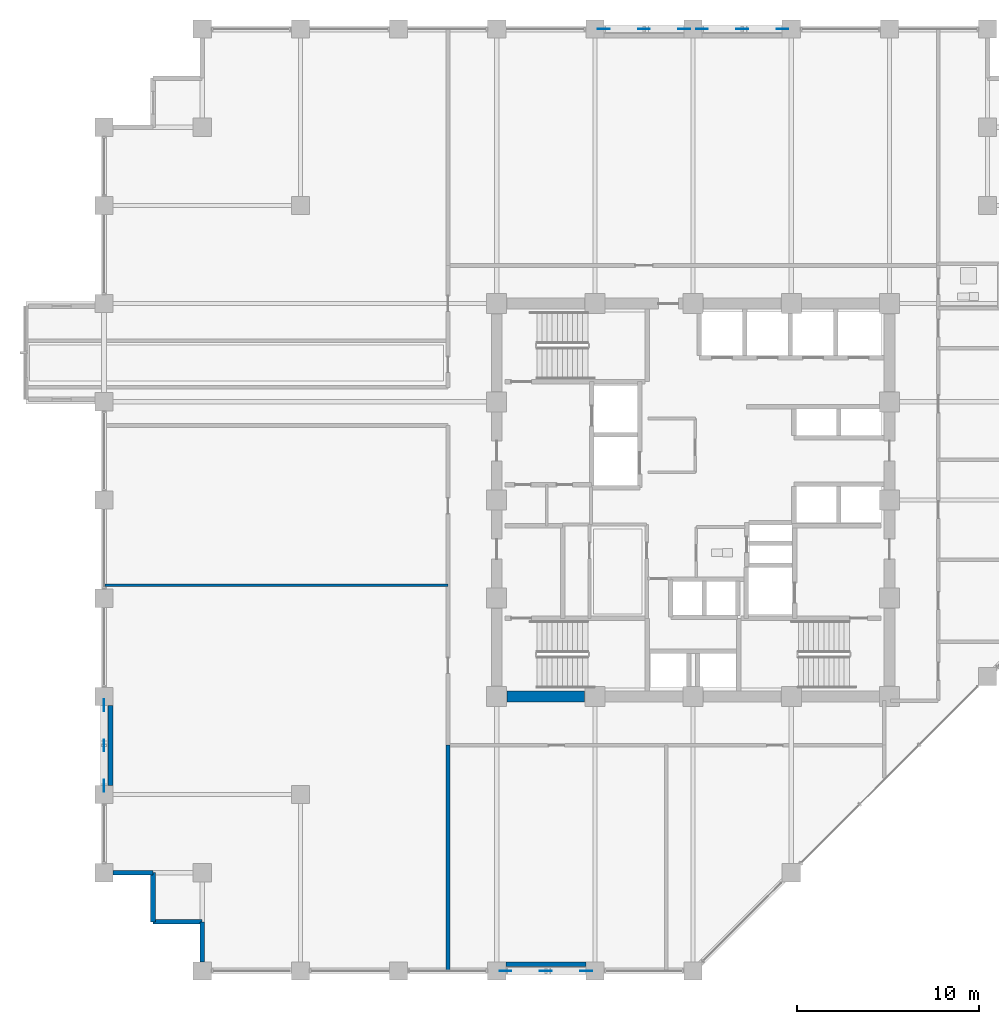
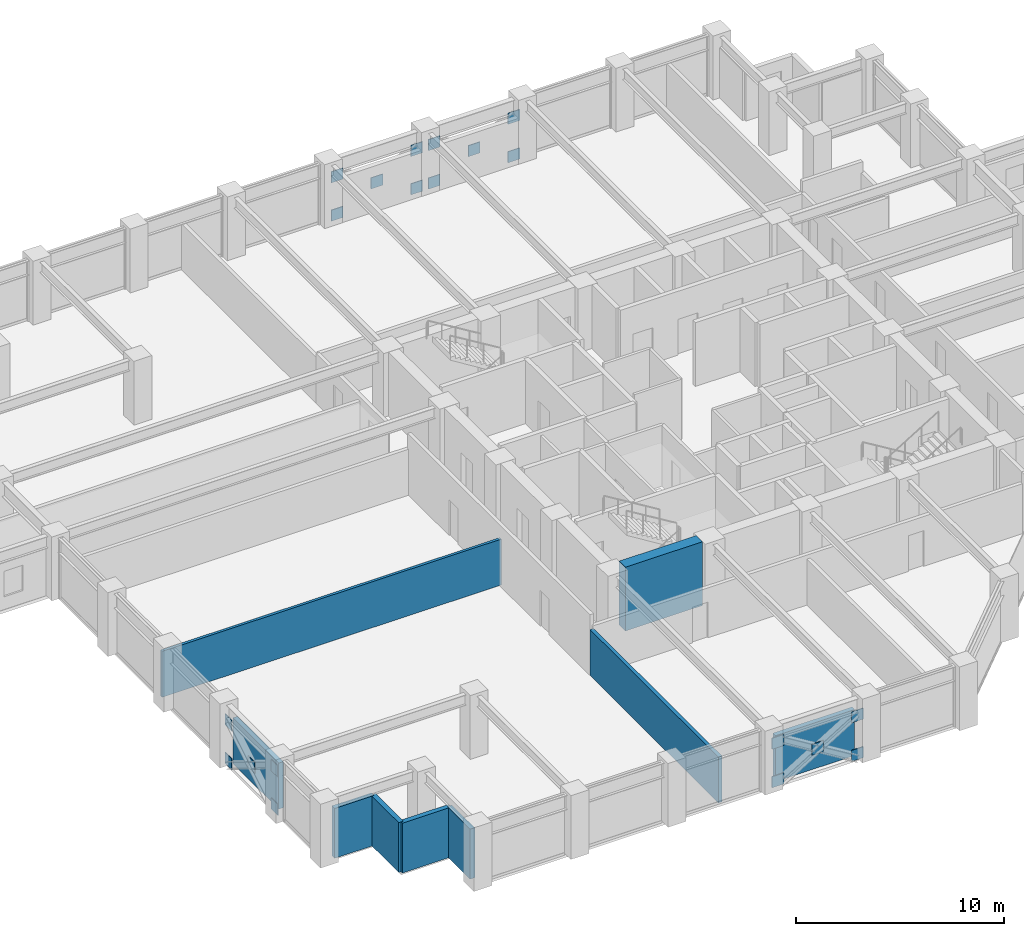
# One storey, part 21 of 29: 20 plates, 9 walls.
"""IFC4 building model written with IfcOpenShell, lengths in metres."""

from ifc_helpers import new_model, si_unit, direction, frame, frame_2d, origin, origin_2d, place, context, subcontext, project, spatial, rectangle, extrude, material, layer, layer_set, type_object, element, save


model = new_model("IFC4")

# Units and contexts
model_context = context("Model", 3, precision=1e-05, world=origin(), true_north=direction((0.0, 1.0)))
body_context = subcontext(model_context, "Body", "Model", "MODEL_VIEW")
ifc_project = project(units=[si_unit("LENGTHUNIT", "METRE"), si_unit("AREAUNIT", "SQUARE_METRE"), si_unit("VOLUMEUNIT", "CUBIC_METRE"), si_unit("PLANEANGLEUNIT", "RADIAN"), si_unit("MASSUNIT", "GRAM", prefix="KILO")], contexts=[model_context])

# Site, building, storey
site_placement = place(None, origin())
site = spatial("IfcSite", under=ifc_project, at=site_placement, CompositionType="ELEMENT")
building_placement = place(site_placement, origin())
building = spatial("IfcBuilding", under=site, at=building_placement, Name="Surkhivell Harbour Commons", CompositionType="ELEMENT")
storey_placement = place(building_placement, frame((0.0, 0.0, 154.5)))
storey = spatial("IfcBuildingStorey", under=building, at=storey_placement, Name="L40", CompositionType="ELEMENT", Elevation=154.5)

# Plates
ifc_material_1 = material(Name="Steel S460", Category="steel")
ifc_layer_1 = layer(ifc_material_1, 0.044921875)
ifc_layer_set_1 = layer_set([ifc_layer_1], Name="Steel S460")
plate_type = type_object("IfcPlateType", Name="PLT-GUS-650", PredefinedType="USERDEFINED", material=ifc_layer_set_1)
for number, where, z_axis, x_axis, name in (
    (1, (-4.9150390625, 25.89990234375, -0.08935546875), (0.0, 0.0, 1.0), (1.0, 0.0, 0.0), "L40 Perimeter Mega-Brace MB- Corner Gusset N-1"),
    (2, (-0.485107421875, 25.89990234375, -0.08935546875), (0.0, 0.0, 1.0), (1.0, 0.0, 0.0), "L40 Perimeter Mega-Brace MB- Corner Gusset N-2"),
    (3, (-4.9150390625, 25.89990234375, 2.170654296875), (0.0, 0.0, 1.0), (1.0, 0.0, 0.0), "L40 Perimeter Mega-Brace MB- Corner Gusset N-3"),
    (4, (-0.485107421875, 25.89990234375, 2.170654296875), (0.0, 0.0, 1.0), (1.0, 0.0, 0.0), "L40 Perimeter Mega-Brace MB- Corner Gusset N-4"),
    (5, (-2.699951171875, 25.89990234375, 1.04052734375), (0.0, 0.0, 1.0), (1.0, 0.0, 0.0), "L40 Perimeter Mega-Brace MB- Central Crossing Gusset N"),
    (6, (0.485107421875, 25.89990234375, -0.08935546875), (0.0, 0.0, 1.0), (1.0, 0.0, 0.0), "L40 Perimeter Mega-Brace MB- Corner Gusset N2-1"),
    (7, (4.9150390625, 25.89990234375, -0.08935546875), (0.0, 0.0, 1.0), (1.0, 0.0, 0.0), "L40 Perimeter Mega-Brace MB- Corner Gusset N2-2"),
    (8, (0.485107421875, 25.89990234375, 2.170654296875), (0.0, 0.0, 1.0), (1.0, 0.0, 0.0), "L40 Perimeter Mega-Brace MB- Corner Gusset N2-3"),
    (9, (4.9150390625, 25.89990234375, 2.170654296875), (0.0, 0.0, 1.0), (1.0, 0.0, 0.0), "L40 Perimeter Mega-Brace MB- Corner Gusset N2-4"),
    (10, (2.699951171875, 25.89990234375, 1.04052734375), (0.0, 0.0, 1.0), (1.0, 0.0, 0.0), "L40 Perimeter Mega-Brace MB- Central Crossing Gusset N2"),
    (11, (-10.31494140625, -25.89990234375, -0.08935546875), (0.0, 0.0, 1.0), (1.0, 0.0, 0.0), "L40 Perimeter Mega-Brace MB- Corner Gusset S-1"),
    (12, (-5.885009765625, -25.89990234375, -0.08935546875), (0.0, 0.0, 1.0), (1.0, 0.0, 0.0), "L40 Perimeter Mega-Brace MB- Corner Gusset S-2"),
    (13, (-10.31494140625, -25.89990234375, 2.170654296875), (0.0, 0.0, 1.0), (1.0, 0.0, 0.0), "L40 Perimeter Mega-Brace MB- Corner Gusset S-3"),
    (14, (-5.885009765625, -25.89990234375, 2.170654296875), (0.0, 0.0, 1.0), (1.0, 0.0, 0.0), "L40 Perimeter Mega-Brace MB- Corner Gusset S-4"),
    (15, (-8.10009765625, -25.89990234375, 1.04052734375), (0.0, 0.0, 1.0), (1.0, 0.0, 0.0), "L40 Perimeter Mega-Brace MB- Central Crossing Gusset S"),
    (16, (-32.39990234375, -15.715087890625, -0.08935546875), (0.0, 0.0, 1.0), (0.0, 1.0, 0.0), "L40 Perimeter Mega-Brace MB- Corner Gusset W-1"),
    (17, (-32.39990234375, -11.284912109375, -0.08935546875), (0.0, 0.0, 1.0), (0.0, 1.0, 0.0), "L40 Perimeter Mega-Brace MB- Corner Gusset W-2"),
    (18, (-32.39990234375, -15.715087890625, 2.170654296875), (0.0, 0.0, 1.0), (0.0, 1.0, 0.0), "L40 Perimeter Mega-Brace MB- Corner Gusset W-3"),
    (19, (-32.39990234375, -11.284912109375, 2.170654296875), (0.0, 0.0, 1.0), (0.0, 1.0, 0.0), "L40 Perimeter Mega-Brace MB- Corner Gusset W-4"),
    (20, (-32.39990234375, -13.5, 1.04052734375), (0.0, 0.0, 1.0), (0.0, 1.0, 0.0), "L40 Perimeter Mega-Brace MB- Central Crossing Gusset W"),
):
    element("IfcPlate", number, at=place(storey_placement, frame(where, z_axis=z_axis, x_axis=x_axis)), inside=storey, type_object=plate_type, Name=name, ObjectType="GUSSET_PLATE", PredefinedType="USERDEFINED", context=body_context, shape_type="SweptSolid", body=[
        extrude(rectangle(XDim=0.64990234375, YDim=0.044921875, at=origin_2d()), origin(), (0.0, 0.0, 1.0), 0.64990234375),
    ])

# Walls
ifc_material_2 = material(Name="Concrete C60/75", Category="concrete")
ifc_layer_2 = layer(ifc_material_2, 0.60009765625)
ifc_layer_set_2 = layer_set([ifc_layer_2], Name="Concrete C60/75")
wall_type_1 = type_object("IfcWallType", Name="WAL-CORE-600", PredefinedType="SHEAR", material=ifc_layer_set_2)
wall_1_placement = place(storey_placement, frame((-10.239990234375, -10.800048828125, 0.0), z_axis=(0.0, 0.0, 1.0), x_axis=(1.0, 0.0, 0.0)))
element("IfcWall", 21, at=wall_1_placement, inside=storey, type_object=wall_type_1, Name="L40 Core Shear Wall South 1", PredefinedType="SHEAR", context=body_context, shape_type="SweptSolid", body=[
    extrude(rectangle(XDim=4.280029296875, YDim=0.60009765625, at=frame_2d((2.14013671875, 0.0))), origin(), (0.0, 0.0, 1.0), 3.75),
])
ifc_material_3 = material(Name="Pale-metal insulated precast concrete C45/55", Category="concrete")
ifc_layer_3 = layer(ifc_material_3, 0.260009765625)
ifc_layer_set_3 = layer_set([ifc_layer_3], Name="Pale-metal insulated precast concrete C45/55")
wall_type_2 = type_object("IfcWallType", Name="WAL-EXT-MTL260", PredefinedType="STANDARD", material=ifc_layer_set_3)
wall_2_placement = place(storey_placement, frame((-10.302001953125, -25.5400390625, 0.0), z_axis=(0.0, 0.0, 1.0), x_axis=(1.0, 0.0, 0.0)))
element("IfcWall", 22, at=wall_2_placement, inside=storey, type_object=wall_type_2, Name="L40 Braced-Bay Insulated Spandrel Backing S", PredefinedType="STANDARD", context=body_context, shape_type="SweptSolid", body=[
    extrude(rectangle(XDim=4.404052734375, YDim=0.260009765625, at=frame_2d((2.2021484375, 0.0))), origin(), (0.0, 0.0, 1.0), 2.698974609375),
])
wall_3_placement = place(storey_placement, frame((-32.0400390625, -15.701904296875, 0.0), z_axis=(0.0, 0.0, 1.0), x_axis=(0.0, 1.0, 0.0)))
element("IfcWall", 23, at=wall_3_placement, inside=storey, type_object=wall_type_2, Name="L40 Braced-Bay Insulated Spandrel Backing W", PredefinedType="STANDARD", context=body_context, shape_type="SweptSolid", body=[
    extrude(rectangle(XDim=4.40380859375, YDim=0.260009765625, at=frame_2d((2.201904296875, 0.0))), origin(), (0.0, 0.0, 1.0), 2.698974609375),
])
wall_4_placement = place(storey_placement, frame((-31.902099609375, -20.5, 0.0), z_axis=(0.0, 0.0, 1.0), x_axis=(1.0, 0.0, 0.0)))
element("IfcWall", 24, at=wall_4_placement, inside=storey, type_object=wall_type_2, Name="L40 Serrated Corner Facade Wall 13", PredefinedType="STANDARD", context=body_context, shape_type="SweptSolid", body=[
    extrude(rectangle(XDim=2.2021484375, YDim=0.260009765625, at=frame_2d((1.10107421875, 0.0))), origin(), (0.0, 0.0, 1.0), 2.93310546875),
])
for number, where, z_axis, x_axis, name in (
    (25, (-29.699951171875, -20.5, 0.0), (0.0, 0.0, 1.0), (0.0, -1.0, 0.0), "L40 Serrated Corner Facade Wall 14"),
    (26, (-29.699951171875, -23.199951171875, 0.0), (0.0, 0.0, 1.0), (1.0, 0.0, 0.0), "L40 Serrated Corner Facade Wall 15"),
):
    element("IfcWall", number, at=place(storey_placement, frame(where, z_axis=z_axis, x_axis=x_axis)), inside=storey, type_object=wall_type_2, Name=name, PredefinedType="STANDARD", context=body_context, shape_type="SweptSolid", body=[
        extrude(rectangle(XDim=2.699951171875, YDim=0.260009765625, at=frame_2d((1.35009765625, 0.0))), origin(), (0.0, 0.0, 1.0), 2.93310546875),
    ])
wall_5_placement = place(storey_placement, frame((-27.0, -23.199951171875, 0.0), z_axis=(0.0, 0.0, 1.0), x_axis=(0.0, -1.0, 0.0)))
element("IfcWall", 27, at=wall_5_placement, inside=storey, type_object=wall_type_2, Name="L40 Serrated Corner Facade Wall 16", PredefinedType="STANDARD", context=body_context, shape_type="SweptSolid", body=[
    extrude(rectangle(XDim=2.2021484375, YDim=0.260009765625, at=frame_2d((1.10107421875, 0.0))), origin(), (0.0, 0.0, 1.0), 2.93310546875),
])
ifc_material_4 = material(Name="Twin-stud acoustic fireboard partition", Category="other")
ifc_layer_4 = layer(ifc_material_4, 0.14990234375)
ifc_layer_set_4 = layer_set([ifc_layer_4], Name="Twin-stud acoustic fireboard partition")
wall_type_3 = type_object("IfcWallType", Name="WAL-INT-150", PredefinedType="PARTITIONING", material=ifc_layer_set_4)
wall_6_placement = place(storey_placement, frame((-32.340087890625, -4.68994140625, 0.0), z_axis=(0.0, 0.0, 1.0), x_axis=(1.0, 0.0, 0.0)))
element("IfcWall", 28, at=wall_6_placement, inside=storey, type_object=wall_type_3, Name="L40 South-West Partition P1", PredefinedType="PARTITIONING", context=body_context, shape_type="SweptSolid", body=[
    extrude(rectangle(XDim=18.860107421875, YDim=0.14990234375, at=frame_2d((9.43017578125, 0.0))), origin(), (0.0, 0.0, 1.0), 2.698974609375),
])
ifc_material_5 = material(Name="Autoclaved aerated concrete blockwork and fire plaster", Category="masonry")
ifc_layer_5 = layer(ifc_material_5, 0.199951171875)
ifc_layer_set_5 = layer_set([ifc_layer_5], Name="Autoclaved aerated concrete blockwork and fire plaster")
wall_type_4 = type_object("IfcWallType", Name="WAL-INT-200", PredefinedType="PARTITIONING", material=ifc_layer_set_5)
wall_7_placement = place(storey_placement, frame((-13.47998046875, -25.840087890625, 0.0), z_axis=(0.0, 0.0, 1.0), x_axis=(0.0, 1.0, 0.0)))
element("IfcWall", 29, at=wall_7_placement, inside=storey, type_object=wall_type_4, Name="L40 South-West Wing Corner Divider", PredefinedType="PARTITIONING", context=body_context, shape_type="SweptSolid", body=[
    extrude(rectangle(XDim=12.360107421875, YDim=0.199951171875, at=frame_2d((6.18017578125, 0.0))), origin(), (0.0, 0.0, 1.0), 2.698974609375),
])

save(model, "model.ifc")
